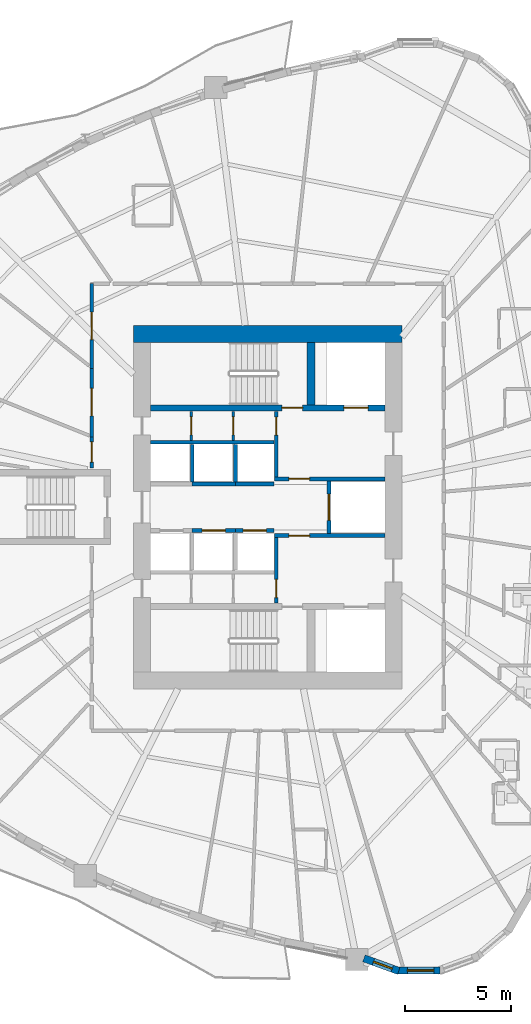
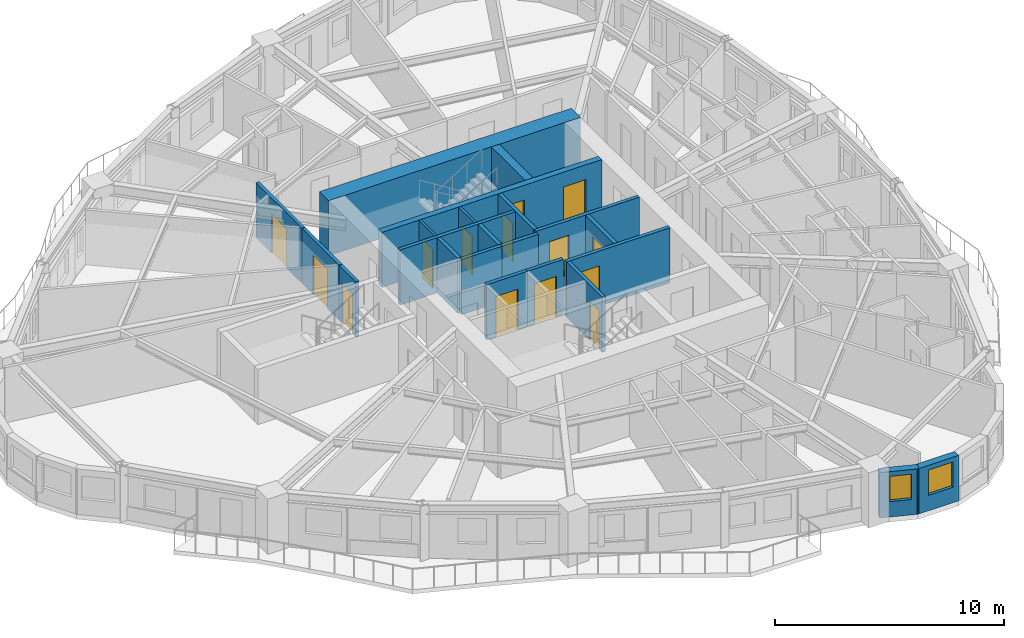
# One storey, part 5 of 13: 22 walls, 14 doors, 2 windows, 16 openings.
"""IFC4 building model written with IfcOpenShell, lengths in metres."""

from ifc_helpers import new_model, si_unit, direction, frame, frame_2d, origin, place, context, subcontext, project, spatial, rectangle, extrude, source, transform, mapped, material, layer, layer_set, type_object, element, fill, save


model = new_model("IFC4")

# Units and contexts
model_context = context("Model", 3, precision=1e-05, world=origin(), true_north=direction((0.0, 1.0)))
body_context = subcontext(model_context, "Body", "Model", "MODEL_VIEW")
ifc_project = project(units=[si_unit("LENGTHUNIT", "METRE"), si_unit("AREAUNIT", "SQUARE_METRE"), si_unit("VOLUMEUNIT", "CUBIC_METRE"), si_unit("PLANEANGLEUNIT", "RADIAN"), si_unit("MASSUNIT", "GRAM", prefix="KILO")], contexts=[model_context])

# Site, building, storey
site_placement = place(None, origin())
site = spatial("IfcSite", under=ifc_project, at=site_placement, CompositionType="ELEMENT")
building_placement = place(site_placement, origin())
building = spatial("IfcBuilding", under=site, at=building_placement, Name="Qafzar Sky-Pleat Residences", CompositionType="ELEMENT")
storey_placement = place(building_placement, frame((0.0, 0.0, 55.800048828125)))
storey = spatial("IfcBuildingStorey", under=building, at=storey_placement, Name="L16", CompositionType="ELEMENT", Elevation=55.800048828125)

# Wall, opening, door
ifc_material_1 = material(Name="Acoustic gypsum plasterboard partition", Category="gypsum")
ifc_layer_1 = layer(ifc_material_1, 0.159912109375)
ifc_layer_set_1 = layer_set([ifc_layer_1], Name="Acoustic gypsum plasterboard partition")
wall_type_1 = type_object("IfcWallType", Name="PART-COR-160", PredefinedType="PARTITIONING", material=ifc_layer_set_1)
wall_1_placement = place(storey_placement, frame((22.02001953125, 32.577880859375, 0.0), z_axis=(0.0, 0.0, 1.0), x_axis=(0.0, 1.0, 0.0)))
wall_1 = element("IfcWall", 1, at=wall_1_placement, inside=storey, type_object=wall_type_1, Name="L16 Partition Wall PART-L16-PW-004", PredefinedType="PARTITIONING", context=body_context, shape_type="SweptSolid", body=[
    extrude(rectangle(XDim=4.002197265625, YDim=0.159912109375, at=frame_2d((2.0009765625, 0.0))), origin(), (0.0, 0.0, 1.0), 2.93994140625),
])
opening_1_placement = place(wall_1_placement, frame((1.360595703125, 0.0, 0.0)))
opening_1 = element("IfcOpeningElement", 2, at=opening_1_placement, cuts=wall_1, Name="Opening ID-05", PredefinedType="OPENING", context=body_context, shape_type="SweptSolid", body=[
    extrude(rectangle(XDim=1.300048828125, YDim=2.10009765625, at=frame_2d((0.64990234375, 1.050048828125))), frame((0.0, 0.08984375, 0.0), z_axis=(0.0, -1.0, 0.0), x_axis=(1.0, 0.0, 0.0)), (0.0, 0.0, 1.0), 0.179931640625),
])
ifc_material_2 = material(Name="Timber-faced fire door", Category="wood")
door_type_1 = type_object("IfcDoorType", Name="DR-LNG-1300", OperationType="DOUBLE_DOOR_SINGLE_SWING", PredefinedType="DOOR", material=ifc_material_2)
shared_shape_1 = source(origin(), body_context, "Body", "SweptSolid", [
    extrude(rectangle(XDim=1.300048828125, YDim=2.10009765625, at=frame_2d((0.64990234375, 1.050048828125))), frame((0.0, 0.02490234375, 0.0), z_axis=(0.0, -1.0, 0.0), x_axis=(1.0, 0.0, 0.0)), (0.0, 0.0, 1.0), 0.050048828125),
])
door_1_placement = place(opening_1_placement, origin())
door_1 = element("IfcDoor", 3, at=door_1_placement, inside=storey, type_object=door_type_1, Name="L16 Communal Kitchen Door", OperationType="DOUBLE_DOOR_SINGLE_SWING", OverallHeight=2.10009765625, OverallWidth=1.300048828125, PredefinedType="DOOR", context=body_context, shape_type="MappedRepresentation", body=[
    mapped(shared_shape_1, transform((0.0, 0.0, 0.0), x_axis=(1.0, 0.0, 0.0), y_axis=(0.0, 1.0, 0.0), z_axis=(0.0, 0.0, 1.0), scale=1.0)),
])
fill(opening_1, door_1)

wall_2_placement = place(storey_placement, frame((22.02001953125, 29.327880859375, 0.0), z_axis=(0.0, 0.0, 1.0), x_axis=(0.0, 1.0, 0.0)))
wall_2 = element("IfcWall", 4, at=wall_2_placement, inside=storey, type_object=wall_type_1, Name="L16 Partition Wall PART-L16-PW-010", PredefinedType="PARTITIONING", context=body_context, shape_type="SweptSolid", body=[
    extrude(rectangle(XDim=3.235107421875, YDim=0.159912109375, at=frame_2d((1.61767578125, 0.0))), origin(), (0.0, 0.0, 1.0), 2.93994140625),
])
opening_2_placement = place(wall_2_placement, frame((0.992431640625, 0.0, 0.0)))
opening_2 = element("IfcOpeningElement", 5, at=opening_2_placement, cuts=wall_2, Name="Opening ID-05", PredefinedType="OPENING", context=body_context, shape_type="SweptSolid", body=[
    extrude(rectangle(XDim=1.300048828125, YDim=2.10009765625, at=frame_2d((0.64990234375, 1.050048828125))), frame((0.0, 0.08984375, 0.0), z_axis=(0.0, -1.0, 0.0), x_axis=(1.0, 0.0, 0.0)), (0.0, 0.0, 1.0), 0.179931640625),
])
door_2_placement = place(opening_2_placement, origin())
door_2 = element("IfcDoor", 6, at=door_2_placement, inside=storey, type_object=door_type_1, Name="L16 Co-Living Lounge Door", OperationType="DOUBLE_DOOR_SINGLE_SWING", OverallHeight=2.10009765625, OverallWidth=1.300048828125, PredefinedType="DOOR", context=body_context, shape_type="MappedRepresentation", body=[
    mapped(shared_shape_1, transform((0.0, 0.0, 0.0), x_axis=(1.0, 0.0, 0.0), y_axis=(0.0, 1.0, 0.0), z_axis=(0.0, 0.0, 1.0), scale=1.0)),
])
fill(opening_2, door_2)

wall_3_placement = place(storey_placement, frame((22.02001953125, 27.85009765625, 0.0), z_axis=(0.0, 0.0, 1.0), x_axis=(0.0, 1.0, 0.0)))
wall_3 = element("IfcWall", 7, at=wall_3_placement, inside=storey, type_object=wall_type_1, Name="L16 Partition Wall PART-L16-PW-029", PredefinedType="PARTITIONING", context=body_context, shape_type="SweptSolid", body=[
    extrude(rectangle(XDim=1.462890625, YDim=0.159912109375, at=frame_2d((0.7314453125, 0.0))), origin(), (0.0, 0.0, 1.0), 2.93994140625),
])
opening_3_placement = place(wall_3_placement, frame((0.282958984375, 0.0, 0.0)))
opening_3 = element("IfcOpeningElement", 8, at=opening_3_placement, cuts=wall_3, Name="Opening ID-06", PredefinedType="OPENING", context=body_context, shape_type="SweptSolid", body=[
    extrude(rectangle(XDim=0.9599609375, YDim=2.10009765625, at=frame_2d((0.47998046875, 1.050048828125))), frame((0.0, 0.08984375, 0.0), z_axis=(0.0, -1.0, 0.0), x_axis=(1.0, 0.0, 0.0)), (0.0, 0.0, 1.0), 0.179931640625),
])
door_type_2 = type_object("IfcDoorType", Name="DR-STD-960", OperationType="NOTDEFINED", PredefinedType="DOOR", material=ifc_material_2)
shared_shape_2 = source(origin(), body_context, "Body", "SweptSolid", [
    extrude(rectangle(XDim=0.9599609375, YDim=2.10009765625, at=frame_2d((0.47998046875, 1.050048828125))), frame((0.0, 0.02490234375, 0.0), z_axis=(0.0, -1.0, 0.0), x_axis=(1.0, 0.0, 0.0)), (0.0, 0.0, 1.0), 0.050048828125),
])
door_3_placement = place(opening_3_placement, origin())
door_3 = element("IfcDoor", 9, at=door_3_placement, inside=storey, type_object=door_type_2, Name="L16 Faculty Research Office Door", OperationType="SINGLE_SWING_LEFT", OverallHeight=2.10009765625, OverallWidth=0.9599609375, PredefinedType="DOOR", context=body_context, shape_type="MappedRepresentation", body=[
    mapped(shared_shape_2, transform((0.0, 0.0, 0.0), x_axis=(1.0, 0.0, 0.0), y_axis=(0.0, 1.0, 0.0), z_axis=(0.0, 0.0, 1.0), scale=1.0)),
])
fill(opening_3, door_3)

ifc_material_3 = material(Name="Concrete blockwork partition", Category="masonry")
ifc_layer_2 = layer(ifc_material_3, 0.179931640625)
ifc_layer_set_2 = layer_set([ifc_layer_2], Name="Concrete blockwork partition")
wall_type_2 = type_object("IfcWallType", Name="PART-SHAFT-180", PredefinedType="PARTITIONING", material=ifc_layer_set_2)
wall_4_placement = place(storey_placement, frame((30.75, 21.4599609375, 0.0), z_axis=(0.0, 0.0, 1.0), x_axis=(0.0, 1.0, 0.0)))
wall_4 = element("IfcWall", 10, at=wall_4_placement, inside=storey, type_object=wall_type_2, Name="L16 Partition Wall PART-L16-FFL1-W", PredefinedType="PARTITIONING", context=body_context, shape_type="SweptSolid", body=[
    extrude(rectangle(XDim=3.110107421875, YDim=0.179931640625, at=frame_2d((1.55517578125, 0.0))), origin(), (0.0, 0.0, 1.0), 2.93994140625),
])
opening_4_placement = place(wall_4_placement, frame((0.260009765625, 0.0, 0.0)))
opening_4 = element("IfcOpeningElement", 11, at=opening_4_placement, cuts=wall_4, Name="Opening ID-09", PredefinedType="OPENING", context=body_context, shape_type="SweptSolid", body=[
    extrude(rectangle(XDim=0.860107421875, YDim=2.050048828125, at=frame_2d((0.43017578125, 1.02490234375))), frame((0.0, 0.10009765625, 0.0), z_axis=(0.0, -1.0, 0.0), x_axis=(1.0, 0.0, 0.0)), (0.0, 0.0, 1.0), 0.199951171875),
])
door_type_3 = type_object("IfcDoorType", Name="DR-SVC-860", OperationType="NOTDEFINED", PredefinedType="DOOR", material=ifc_material_2)
shared_shape_3 = source(origin(), body_context, "Body", "SweptSolid", [
    extrude(rectangle(XDim=0.860107421875, YDim=2.050048828125, at=frame_2d((0.43017578125, 1.02490234375))), frame((0.0, 0.02490234375, 0.0), z_axis=(0.0, -1.0, 0.0), x_axis=(1.0, 0.0, 0.0)), (0.0, 0.0, 1.0), 0.050048828125),
])
door_4_placement = place(opening_4_placement, origin())
door_4 = element("IfcDoor", 12, at=door_4_placement, inside=storey, type_object=door_type_3, Name="L16 South Core Cupboard Door", OperationType="SINGLE_SWING_LEFT", OverallHeight=2.050048828125, OverallWidth=0.860107421875, PredefinedType="DOOR", context=body_context, shape_type="MappedRepresentation", body=[
    mapped(shared_shape_3, transform((0.0, 0.0, 0.0), x_axis=(1.0, 0.0, 0.0), y_axis=(0.0, 1.0, 0.0), z_axis=(0.0, 0.0, 1.0), scale=1.0)),
])
fill(opening_4, door_4)

wall_5_placement = place(storey_placement, frame((30.669921875, 24.659912109375, 0.0), z_axis=(0.0, 0.0, 1.0), x_axis=(1.0, 0.0, 0.0)))
wall_5 = element("IfcWall", 13, at=wall_5_placement, inside=storey, type_object=wall_type_2, Name="L16 Partition Wall PART-L16-FFL1-N", PredefinedType="PARTITIONING", context=body_context, shape_type="SweptSolid", body=[
    extrude(rectangle(XDim=5.219970703125, YDim=0.179931640625, at=frame_2d((2.60986328125, 0.0))), origin(), (0.0, 0.0, 1.0), 2.93994140625),
])
opening_5_placement = place(wall_5_placement, frame((0.679931640625, 0.0, 0.0)))
opening_5 = element("IfcOpeningElement", 14, at=opening_5_placement, cuts=wall_5, Name="Opening ID-01", PredefinedType="OPENING", context=body_context, shape_type="SweptSolid", body=[
    extrude(rectangle(XDim=0.97998046875, YDim=2.14990234375, at=frame_2d((0.489990234375, 1.074951171875))), frame((0.0, 0.10009765625, 0.0), z_axis=(0.0, -1.0, 0.0), x_axis=(1.0, 0.0, 0.0)), (0.0, 0.0, 1.0), 0.199951171875),
])
door_type_4 = type_object("IfcDoorType", Name="DR-STAIR-980", OperationType="NOTDEFINED", PredefinedType="DOOR", material=ifc_material_2)
shared_shape_4 = source(origin(), body_context, "Body", "SweptSolid", [
    extrude(rectangle(XDim=0.97998046875, YDim=2.14990234375, at=frame_2d((0.489990234375, 1.074951171875))), frame((0.0, 0.02490234375, 0.0), z_axis=(0.0, -1.0, 0.0), x_axis=(1.0, 0.0, 0.0)), (0.0, 0.0, 1.0), 0.050048828125),
])
door_5_placement = place(opening_5_placement, origin())
door_5 = element("IfcDoor", 15, at=door_5_placement, inside=storey, type_object=door_type_4, Name="L16 Lift Lobby to South Firefighting Lobby Door", OperationType="SINGLE_SWING_RIGHT", OverallHeight=2.14990234375, OverallWidth=0.97998046875, PredefinedType="DOOR", context=body_context, shape_type="MappedRepresentation", body=[
    mapped(shared_shape_4, transform((0.0, 0.0, 0.0), x_axis=(1.0, 0.0, 0.0), y_axis=(0.0, 1.0, 0.0), z_axis=(0.0, 0.0, 1.0), scale=1.0)),
])
fill(opening_5, door_5)

wall_6_placement = place(storey_placement, frame((30.75, 27.429931640625, 0.0), z_axis=(0.0, 0.0, 1.0), x_axis=(0.0, 1.0, 0.0)))
wall_6 = element("IfcWall", 16, at=wall_6_placement, inside=storey, type_object=wall_type_2, Name="L16 Partition Wall PART-L16-FFL2-W", PredefinedType="PARTITIONING", context=body_context, shape_type="SweptSolid", body=[
    extrude(rectangle(XDim=3.110107421875, YDim=0.179931640625, at=frame_2d((1.55517578125, 0.0))), origin(), (0.0, 0.0, 1.0), 2.93994140625),
])
opening_6_placement = place(wall_6_placement, frame((1.97998046875, 0.0, 0.0)))
opening_6 = element("IfcOpeningElement", 17, at=opening_6_placement, cuts=wall_6, Name="Opening ID-09", PredefinedType="OPENING", context=body_context, shape_type="SweptSolid", body=[
    extrude(rectangle(XDim=0.860107421875, YDim=2.050048828125, at=frame_2d((0.43017578125, 1.02490234375))), frame((0.0, 0.10009765625, 0.0), z_axis=(0.0, -1.0, 0.0), x_axis=(1.0, 0.0, 0.0)), (0.0, 0.0, 1.0), 0.199951171875),
])
door_6_placement = place(opening_6_placement, origin())
door_6 = element("IfcDoor", 18, at=door_6_placement, inside=storey, type_object=door_type_3, Name="L16 North Core Cupboard Door", OperationType="SINGLE_SWING_LEFT", OverallHeight=2.050048828125, OverallWidth=0.860107421875, PredefinedType="DOOR", context=body_context, shape_type="MappedRepresentation", body=[
    mapped(shared_shape_3, transform((0.0, 0.0, 0.0), x_axis=(1.0, 0.0, 0.0), y_axis=(0.0, 1.0, 0.0), z_axis=(0.0, 0.0, 1.0), scale=1.0)),
])
fill(opening_6, door_6)

wall_7_placement = place(storey_placement, frame((30.669921875, 27.340087890625, 0.0), z_axis=(0.0, 0.0, 1.0), x_axis=(1.0, 0.0, 0.0)))
wall_7 = element("IfcWall", 19, at=wall_7_placement, inside=storey, type_object=wall_type_2, Name="L16 Partition Wall PART-L16-FFL2-S", PredefinedType="PARTITIONING", context=body_context, shape_type="SweptSolid", body=[
    extrude(rectangle(XDim=5.219970703125, YDim=0.179931640625, at=frame_2d((2.60986328125, 0.0))), origin(), (0.0, 0.0, 1.0), 2.93994140625),
])
opening_7_placement = place(wall_7_placement, frame((0.679931640625, 0.0, 0.0)))
opening_7 = element("IfcOpeningElement", 20, at=opening_7_placement, cuts=wall_7, Name="Opening ID-01", PredefinedType="OPENING", context=body_context, shape_type="SweptSolid", body=[
    extrude(rectangle(XDim=0.97998046875, YDim=2.14990234375, at=frame_2d((0.489990234375, 1.074951171875))), frame((0.0, 0.10009765625, 0.0), z_axis=(0.0, -1.0, 0.0), x_axis=(1.0, 0.0, 0.0)), (0.0, 0.0, 1.0), 0.199951171875),
])
door_7_placement = place(opening_7_placement, origin())
door_7 = element("IfcDoor", 21, at=door_7_placement, inside=storey, type_object=door_type_4, Name="L16 Lift Lobby to North Firefighting Lobby Door", OperationType="SINGLE_SWING_RIGHT", OverallHeight=2.14990234375, OverallWidth=0.97998046875, PredefinedType="DOOR", context=body_context, shape_type="MappedRepresentation", body=[
    mapped(shared_shape_4, transform((0.0, 0.0, 0.0), x_axis=(1.0, 0.0, 0.0), y_axis=(0.0, 1.0, 0.0), z_axis=(0.0, 0.0, 1.0), scale=1.0)),
])
fill(opening_7, door_7)

wall_8_placement = place(storey_placement, frame((33.25, 24.760009765625, 0.0), z_axis=(0.0, 0.0, 1.0), x_axis=(0.0, 1.0, 0.0)))
wall_8 = element("IfcWall", 22, at=wall_8_placement, inside=storey, type_object=wall_type_2, Name="L16 Partition Wall PART-L16-SV1-W", PredefinedType="PARTITIONING", context=body_context, shape_type="SweptSolid", body=[
    extrude(rectangle(XDim=2.47998046875, YDim=0.179931640625, at=frame_2d((1.239990234375, 0.0))), origin(), (0.0, 0.0, 1.0), 2.93994140625),
])
opening_8_placement = place(wall_8_placement, frame((0.614990234375, 0.0, 0.0)))
opening_8 = element("IfcOpeningElement", 23, at=opening_8_placement, cuts=wall_8, Name="Opening LD-03", PredefinedType="OPENING", context=body_context, shape_type="SweptSolid", body=[
    extrude(rectangle(XDim=1.25, YDim=2.14990234375, at=frame_2d((0.625, 1.074951171875))), frame((0.0, 0.10009765625, 0.0), z_axis=(0.0, -1.0, 0.0), x_axis=(1.0, 0.0, 0.0)), (0.0, 0.0, 1.0), 0.199951171875),
])
ifc_material_4 = material(Name="Stainless steel sliding landing door", Category="steel")
door_type_5 = type_object("IfcDoorType", Name="DR-LIFT-SV", OperationType="DOUBLE_DOOR_SLIDING", PredefinedType="DOOR", material=ifc_material_4)
shared_shape_5 = source(origin(), body_context, "Body", "SweptSolid", [
    extrude(rectangle(XDim=1.25, YDim=2.14990234375, at=frame_2d((0.625, 1.074951171875))), frame((0.0, 0.02490234375, 0.0), z_axis=(0.0, -1.0, 0.0), x_axis=(1.0, 0.0, 0.0)), (0.0, 0.0, 1.0), 0.050048828125),
])
door_8_placement = place(opening_8_placement, origin())
door_8 = element("IfcDoor", 24, at=door_8_placement, inside=storey, type_object=door_type_5, Name="L16 Service Lift SV1 Landing Door", OperationType="DOUBLE_DOOR_SLIDING", OverallHeight=2.14990234375, OverallWidth=1.25, PredefinedType="DOOR", context=body_context, shape_type="MappedRepresentation", body=[
    mapped(shared_shape_5, transform((0.0, 0.0, 0.0), x_axis=(1.0, 0.0, 0.0), y_axis=(0.0, 1.0, 0.0), z_axis=(0.0, 0.0, 1.0), scale=1.0)),
])
fill(opening_8, door_8)

wall_9_placement = place(storey_placement, frame((26.77490234375, 24.89990234375, 0.0), z_axis=(0.0, 0.0, 1.0), x_axis=(1.0, 0.0, 0.0)))
wall_9 = element("IfcWall", 25, at=wall_9_placement, inside=storey, type_object=wall_type_2, Name="L16 Partition Wall PART-L16-P2-N", PredefinedType="PARTITIONING", context=body_context, shape_type="SweptSolid", body=[
    extrude(rectangle(XDim=2.050048828125, YDim=0.179931640625, at=frame_2d((1.02490234375, 0.0))), origin(), (0.0, 0.0, 1.0), 2.93994140625),
])
opening_9_placement = place(wall_9_placement, frame((0.47509765625, 0.0, 0.0)))
opening_9 = element("IfcOpeningElement", 26, at=opening_9_placement, cuts=wall_9, Name="Opening LD-01", PredefinedType="OPENING", context=body_context, shape_type="SweptSolid", body=[
    extrude(rectangle(XDim=1.10009765625, YDim=2.14990234375, at=frame_2d((0.550048828125, 1.074951171875))), frame((0.0, 0.10009765625, 0.0), z_axis=(0.0, -1.0, 0.0), x_axis=(1.0, 0.0, 0.0)), (0.0, 0.0, 1.0), 0.199951171875),
])
door_type_6 = type_object("IfcDoorType", Name="DR-LIFT-P", OperationType="DOUBLE_DOOR_SLIDING", PredefinedType="DOOR", material=ifc_material_4)
shared_shape_6 = source(origin(), body_context, "Body", "SweptSolid", [
    extrude(rectangle(XDim=1.10009765625, YDim=2.14990234375, at=frame_2d((0.550048828125, 1.074951171875))), frame((0.0, 0.02490234375, 0.0), z_axis=(0.0, -1.0, 0.0), x_axis=(1.0, 0.0, 0.0)), (0.0, 0.0, 1.0), 0.050048828125),
])
door_9_placement = place(opening_9_placement, origin())
door_9 = element("IfcDoor", 27, at=door_9_placement, inside=storey, type_object=door_type_6, Name="L16 Passenger Lift P2 Landing Door", OperationType="DOUBLE_DOOR_SLIDING", OverallHeight=2.14990234375, OverallWidth=1.10009765625, PredefinedType="DOOR", context=body_context, shape_type="MappedRepresentation", body=[
    mapped(shared_shape_6, transform((0.0, 0.0, 0.0), x_axis=(1.0, 0.0, 0.0), y_axis=(0.0, 1.0, 0.0), z_axis=(0.0, 0.0, 1.0), scale=1.0)),
])
fill(opening_9, door_9)

wall_10_placement = place(storey_placement, frame((28.824951171875, 24.89990234375, 0.0), z_axis=(0.0, 0.0, 1.0), x_axis=(1.0, 0.0, 0.0)))
wall_10 = element("IfcWall", 28, at=wall_10_placement, inside=storey, type_object=wall_type_2, Name="L16 Partition Wall PART-L16-P3-N", PredefinedType="PARTITIONING", context=body_context, shape_type="SweptSolid", body=[
    extrude(rectangle(XDim=1.824951171875, YDim=0.179931640625, at=frame_2d((0.91259765625, 0.0))), origin(), (0.0, 0.0, 1.0), 2.93994140625),
])
opening_10_placement = place(wall_10_placement, frame((0.362548828125, 0.0, 0.0)))
opening_10 = element("IfcOpeningElement", 29, at=opening_10_placement, cuts=wall_10, Name="Opening LD-01", PredefinedType="OPENING", context=body_context, shape_type="SweptSolid", body=[
    extrude(rectangle(XDim=1.10009765625, YDim=2.14990234375, at=frame_2d((0.550048828125, 1.074951171875))), frame((0.0, 0.10009765625, 0.0), z_axis=(0.0, -1.0, 0.0), x_axis=(1.0, 0.0, 0.0)), (0.0, 0.0, 1.0), 0.199951171875),
])
door_10_placement = place(opening_10_placement, origin())
door_10 = element("IfcDoor", 30, at=door_10_placement, inside=storey, type_object=door_type_6, Name="L16 Passenger Lift P3 Landing Door", OperationType="DOUBLE_DOOR_SLIDING", OverallHeight=2.14990234375, OverallWidth=1.10009765625, PredefinedType="DOOR", context=body_context, shape_type="MappedRepresentation", body=[
    mapped(shared_shape_6, transform((0.0, 0.0, 0.0), x_axis=(1.0, 0.0, 0.0), y_axis=(0.0, 1.0, 0.0), z_axis=(0.0, 0.0, 1.0), scale=1.0)),
])
fill(opening_10, door_10)

# Walls
wall_11_placement = place(storey_placement, frame((24.81005859375, 29.080078125, 0.0), z_axis=(0.0, 0.0, 1.0), x_axis=(1.0, 0.0, 0.0)))
element("IfcWall", 31, at=wall_11_placement, inside=storey, type_object=wall_type_2, Name="L16 Partition Wall PART-L16-P46-N", PredefinedType="PARTITIONING", context=body_context, shape_type="SweptSolid", body=[
    extrude(rectangle(XDim=5.83984375, YDim=0.179931640625, at=frame_2d((2.919921875, 0.0))), origin(), (0.0, 0.0, 1.0), 2.93994140625),
])
wall_12_placement = place(storey_placement, frame((26.77490234375, 27.10009765625, 0.0), z_axis=(0.0, 0.0, 1.0), x_axis=(1.0, 0.0, 0.0)))
element("IfcWall", 32, at=wall_12_placement, inside=storey, type_object=wall_type_2, Name="L16 Partition Wall PART-L16-P5-S", PredefinedType="PARTITIONING", context=body_context, shape_type="SweptSolid", body=[
    extrude(rectangle(XDim=2.050048828125, YDim=0.179931640625, at=frame_2d((1.02490234375, 0.0))), origin(), (0.0, 0.0, 1.0), 2.93994140625),
])
wall_13_placement = place(storey_placement, frame((26.77490234375, 27.199951171875, 0.0), z_axis=(0.0, 0.0, 1.0), x_axis=(0.0, 1.0, 0.0)))
element("IfcWall", 33, at=wall_13_placement, inside=storey, type_object=wall_type_2, Name="L16 Partition Wall PART-L16-P46-DIV-1", PredefinedType="PARTITIONING", context=body_context, shape_type="SweptSolid", body=[
    extrude(rectangle(XDim=1.780029296875, YDim=0.179931640625, at=frame_2d((0.89013671875, 0.0))), origin(), (0.0, 0.0, 1.0), 2.93994140625),
])
wall_14_placement = place(storey_placement, frame((28.824951171875, 27.10009765625, 0.0), z_axis=(0.0, 0.0, 1.0), x_axis=(1.0, 0.0, 0.0)))
element("IfcWall", 34, at=wall_14_placement, inside=storey, type_object=wall_type_2, Name="L16 Partition Wall PART-L16-P6-S", PredefinedType="PARTITIONING", context=body_context, shape_type="SweptSolid", body=[
    extrude(rectangle(XDim=1.824951171875, YDim=0.179931640625, at=frame_2d((0.91259765625, 0.0))), origin(), (0.0, 0.0, 1.0), 2.93994140625),
])
wall_15_placement = place(storey_placement, frame((28.824951171875, 27.199951171875, 0.0), z_axis=(0.0, 0.0, 1.0), x_axis=(0.0, 1.0, 0.0)))
element("IfcWall", 35, at=wall_15_placement, inside=storey, type_object=wall_type_2, Name="L16 Partition Wall PART-L16-P46-DIV-2", PredefinedType="PARTITIONING", context=body_context, shape_type="SweptSolid", body=[
    extrude(rectangle(XDim=1.780029296875, YDim=0.179931640625, at=frame_2d((0.89013671875, 0.0))), origin(), (0.0, 0.0, 1.0), 2.93994140625),
])

# Wall, opening, door
ifc_material_5 = material(Name="Gypsum plasterboard partition", Category="gypsum")
ifc_layer_3 = layer(ifc_material_5, 0.114990234375)
ifc_layer_set_3 = layer_set([ifc_layer_3], Name="Gypsum plasterboard partition")
wall_type_3 = type_object("IfcWallType", Name="PART-SVC-115", PredefinedType="PARTITIONING", material=ifc_layer_set_3)
wall_16_placement = place(storey_placement, frame((26.72509765625, 29.159912109375, 0.0), z_axis=(0.0, 0.0, 1.0), x_axis=(0.0, 1.0, 0.0)))
wall_16 = element("IfcWall", 36, at=wall_16_placement, inside=storey, type_object=wall_type_3, Name="L16 Partition Wall PART-L16-KC-NW-1", PredefinedType="PARTITIONING", context=body_context, shape_type="SweptSolid", body=[
    extrude(rectangle(XDim=1.380126953125, YDim=0.114990234375, at=frame_2d((0.68994140625, 0.0))), origin(), (0.0, 0.0, 1.0), 2.93994140625),
])
opening_11_placement = place(wall_16_placement, frame((0.260009765625, 0.0, 0.0)))
opening_11 = element("IfcOpeningElement", 37, at=opening_11_placement, cuts=wall_16, Name="Opening ID-09", PredefinedType="OPENING", context=body_context, shape_type="SweptSolid", body=[
    extrude(rectangle(XDim=0.860107421875, YDim=2.050048828125, at=frame_2d((0.43017578125, 1.02490234375))), frame((0.0, 0.0673828125, 0.0), z_axis=(0.0, -1.0, 0.0), x_axis=(1.0, 0.0, 0.0)), (0.0, 0.0, 1.0), 0.135009765625),
])
door_11_placement = place(opening_11_placement, origin())
door_11 = element("IfcDoor", 38, at=door_11_placement, inside=storey, type_object=door_type_3, Name="L16 Core North Cupboard 1 Door", OperationType="SINGLE_SWING_RIGHT", OverallHeight=2.050048828125, OverallWidth=0.860107421875, PredefinedType="DOOR", context=body_context, shape_type="MappedRepresentation", body=[
    mapped(shared_shape_3, transform((0.0, 0.0, 0.0), x_axis=(1.0, 0.0, 0.0), y_axis=(0.0, 1.0, 0.0), z_axis=(0.0, 0.0, 1.0), scale=1.0)),
])
fill(opening_11, door_11)

wall_17_placement = place(storey_placement, frame((28.72509765625, 29.159912109375, 0.0), z_axis=(0.0, 0.0, 1.0), x_axis=(0.0, 1.0, 0.0)))
wall_17 = element("IfcWall", 39, at=wall_17_placement, inside=storey, type_object=wall_type_3, Name="L16 Partition Wall PART-L16-KC-NW-2", PredefinedType="PARTITIONING", context=body_context, shape_type="SweptSolid", body=[
    extrude(rectangle(XDim=1.380126953125, YDim=0.114990234375, at=frame_2d((0.68994140625, 0.0))), origin(), (0.0, 0.0, 1.0), 2.93994140625),
])
opening_12_placement = place(wall_17_placement, frame((0.260009765625, 0.0, 0.0)))
opening_12 = element("IfcOpeningElement", 40, at=opening_12_placement, cuts=wall_17, Name="Opening ID-09", PredefinedType="OPENING", context=body_context, shape_type="SweptSolid", body=[
    extrude(rectangle(XDim=0.860107421875, YDim=2.050048828125, at=frame_2d((0.43017578125, 1.02490234375))), frame((0.0, 0.0673828125, 0.0), z_axis=(0.0, -1.0, 0.0), x_axis=(1.0, 0.0, 0.0)), (0.0, 0.0, 1.0), 0.135009765625),
])
door_12_placement = place(opening_12_placement, origin())
door_12 = element("IfcDoor", 41, at=door_12_placement, inside=storey, type_object=door_type_3, Name="L16 Core North Cupboard 2 Door", OperationType="SINGLE_SWING_RIGHT", OverallHeight=2.050048828125, OverallWidth=0.860107421875, PredefinedType="DOOR", context=body_context, shape_type="MappedRepresentation", body=[
    mapped(shared_shape_3, transform((0.0, 0.0, 0.0), x_axis=(1.0, 0.0, 0.0), y_axis=(0.0, 1.0, 0.0), z_axis=(0.0, 0.0, 1.0), scale=1.0)),
])
fill(opening_12, door_12)

# Wall, opening, window
ifc_material_6 = material(Name="Precast concrete C40/50 with honed Riyadh limestone", Category="concrete")
ifc_layer_4 = layer(ifc_material_6, 0.35009765625)
ifc_layer_set_4 = layer_set([ifc_layer_4], Name="Precast concrete C40/50 with honed Riyadh limestone")
wall_type_4 = type_object("IfcWallType", Name="WALL-EXT-350", PredefinedType="SOLIDWALL", material=ifc_layer_set_4)
wall_18_placement = place(storey_placement, frame((34.904296875, 4.6494140625, 0.0), z_axis=(0.0, 0.0, 1.0), x_axis=(0.939675390388, -0.342067479745, 0.0)))
wall_18 = element("IfcWall", 42, at=wall_18_placement, inside=storey, type_object=wall_type_4, Name="L16 Limestone Facade Wall 17", PredefinedType="SOLIDWALL", context=body_context, shape_type="SweptSolid", body=[
    extrude(rectangle(XDim=1.752197265625, YDim=0.35009765625, at=frame_2d((0.8759765625, 0.0))), origin(), (0.0, 0.0, 1.0), 2.419921875),
])
opening_13_placement = place(wall_18_placement, frame((0.47607421875, 0.0, 0.820068359375)))
opening_13 = element("IfcOpeningElement", 43, at=opening_13_placement, cuts=wall_18, Name="Opening WN-12", PredefinedType="OPENING", context=body_context, shape_type="SweptSolid", body=[
    extrude(rectangle(XDim=0.949951171875, YDim=1.35009765625, at=frame_2d((0.47509765625, 0.675048828125))), frame((0.0, 0.18505859375, 0.0), z_axis=(0.0, -1.0, 0.0), x_axis=(1.0, 0.0, 0.0)), (0.0, 0.0, 1.0), 0.3701171875),
])
ifc_material_7 = material(Name="Solar-control low-E glass in bronze aluminium frame", Category="glass")
window_type_1 = type_object("IfcWindowType", Name="WIN-12", PartitioningType="SINGLE_PANEL", PredefinedType="WINDOW", material=ifc_material_7)
shared_shape_7 = source(origin(), body_context, "Body", "SweptSolid", [
    extrude(rectangle(XDim=0.949951171875, YDim=1.35009765625, at=frame_2d((0.47509765625, 0.675048828125))), frame((0.0, 0.030029296875, 0.0), z_axis=(0.0, -1.0, 0.0), x_axis=(1.0, 0.0, 0.0)), (0.0, 0.0, 1.0), 0.06005859375),
])
window_1_placement = place(opening_13_placement, origin())
window_1 = element("IfcWindow", 44, at=window_1_placement, inside=storey, type_object=window_type_1, Name="L16 Punched Facade Window 17", OverallHeight=1.35009765625, OverallWidth=0.949951171875, PartitioningType="SINGLE_PANEL", PredefinedType="WINDOW", context=body_context, shape_type="MappedRepresentation", body=[
    mapped(shared_shape_7, transform((0.0, 0.0, 0.0), x_axis=(1.0, 0.0, 0.0), y_axis=(0.0, 1.0, 0.0), z_axis=(0.0, 0.0, 1.0), scale=1.0)),
])
fill(opening_13, window_1)

wall_19_placement = place(storey_placement, frame((36.417236328125, 4.073486328125, 0.0), z_axis=(0.0, 0.0, 1.0), x_axis=(1.0, 0.0, 0.0)))
wall_19 = element("IfcWall", 45, at=wall_19_placement, inside=storey, type_object=wall_type_4, Name="L16 Limestone Facade Wall 18", PredefinedType="SOLIDWALL", context=body_context, shape_type="SweptSolid", body=[
    extrude(rectangle(XDim=2.090576171875, YDim=0.35009765625, at=frame_2d((1.04541015625, 0.0))), origin(), (0.0, 0.0, 1.0), 2.419921875),
])
opening_14_placement = place(wall_19_placement, frame((0.549072265625, 0.0, 0.820068359375)))
opening_14 = element("IfcOpeningElement", 46, at=opening_14_placement, cuts=wall_19, Name="Opening WN-11", PredefinedType="OPENING", context=body_context, shape_type="SweptSolid", body=[
    extrude(rectangle(XDim=1.25, YDim=1.35009765625, at=frame_2d((0.625, 0.675048828125))), frame((0.0, 0.18505859375, 0.0), z_axis=(0.0, -1.0, 0.0), x_axis=(1.0, 0.0, 0.0)), (0.0, 0.0, 1.0), 0.3701171875),
])
window_type_2 = type_object("IfcWindowType", Name="WIN-11", PartitioningType="SINGLE_PANEL", PredefinedType="WINDOW", material=ifc_material_7)
shared_shape_8 = source(origin(), body_context, "Body", "SweptSolid", [
    extrude(rectangle(XDim=1.25, YDim=1.35009765625, at=frame_2d((0.625, 0.675048828125))), frame((0.0, 0.030029296875, 0.0), z_axis=(0.0, -1.0, 0.0), x_axis=(1.0, 0.0, 0.0)), (0.0, 0.0, 1.0), 0.06005859375),
])
window_2_placement = place(opening_14_placement, origin())
window_2 = element("IfcWindow", 47, at=window_2_placement, inside=storey, type_object=window_type_2, Name="L16 Punched Facade Window 18", OverallHeight=1.35009765625, OverallWidth=1.25, PartitioningType="SINGLE_PANEL", PredefinedType="WINDOW", context=body_context, shape_type="MappedRepresentation", body=[
    mapped(shared_shape_8, transform((0.0, 0.0, 0.0), x_axis=(1.0, 0.0, 0.0), y_axis=(0.0, 1.0, 0.0), z_axis=(0.0, 0.0, 1.0), scale=1.0)),
])
fill(opening_14, window_2)

# Wall, openings, doors
ifc_material_8 = material(Name="Concrete C60/75", Category="concrete")
ifc_layer_5 = layer(ifc_material_8, 0.300048828125)
ifc_layer_set_5 = layer_set([ifc_layer_5], Name="Concrete C60/75")
wall_type_5 = type_object("IfcWallType", Name="WALL-SHEAR-300", PredefinedType="SHEAR", material=ifc_layer_set_5)
wall_20_placement = place(storey_placement, frame((24.800048828125, 30.699951171875, 0.0), z_axis=(0.0, 0.0, 1.0), x_axis=(1.0, 0.0, 0.0)))
wall_20 = element("IfcWall", 48, at=wall_20_placement, inside=storey, type_object=wall_type_5, Name="L16 Stair ST2 and FF2 Shaft South Wall", PredefinedType="SHEAR", context=body_context, shape_type="SweptSolid", body=[
    extrude(rectangle(XDim=11.099853515625, YDim=0.300048828125, at=frame_2d((5.5498046875, 0.0))), origin(), (0.0, 0.0, 1.0), 2.93994140625),
])
opening_15_placement = place(wall_20_placement, frame((6.219970703125, 0.0, 0.0)))
opening_15 = element("IfcOpeningElement", 49, at=opening_15_placement, cuts=wall_20, Name="Opening ID-01", PredefinedType="OPENING", context=body_context, shape_type="SweptSolid", body=[
    extrude(rectangle(XDim=0.97998046875, YDim=2.14990234375, at=frame_2d((0.489990234375, 1.074951171875))), frame((0.0, 0.16015625, 0.0), z_axis=(0.0, -1.0, 0.0), x_axis=(1.0, 0.0, 0.0)), (0.0, 0.0, 1.0), 0.320068359375),
])
opening_16_placement = place(wall_20_placement, frame((9.14990234375, 0.0, 0.0)))
opening_16 = element("IfcOpeningElement", 50, at=opening_16_placement, cuts=wall_20, Name="Opening LD-02", PredefinedType="OPENING", context=body_context, shape_type="SweptSolid", body=[
    extrude(rectangle(XDim=1.14990234375, YDim=2.14990234375, at=frame_2d((0.574951171875, 1.074951171875))), frame((0.0, 0.16015625, 0.0), z_axis=(0.0, -1.0, 0.0), x_axis=(1.0, 0.0, 0.0)), (0.0, 0.0, 1.0), 0.320068359375),
])
door_13_placement = place(opening_15_placement, origin())
door_13 = element("IfcDoor", 51, at=door_13_placement, inside=storey, type_object=door_type_4, Name="L16 Stair ST2 Fire Door", OperationType="SINGLE_SWING_LEFT", OverallHeight=2.14990234375, OverallWidth=0.97998046875, PredefinedType="DOOR", context=body_context, shape_type="MappedRepresentation", body=[
    mapped(shared_shape_4, transform((0.0, 0.0, 0.0), x_axis=(1.0, 0.0, 0.0), y_axis=(0.0, 1.0, 0.0), z_axis=(0.0, 0.0, 1.0), scale=1.0)),
])
fill(opening_15, door_13)
door_type_7 = type_object("IfcDoorType", Name="DR-LIFT-FF", OperationType="DOUBLE_DOOR_SLIDING", PredefinedType="DOOR", material=ifc_material_4)
shared_shape_9 = source(origin(), body_context, "Body", "SweptSolid", [
    extrude(rectangle(XDim=1.14990234375, YDim=2.14990234375, at=frame_2d((0.574951171875, 1.074951171875))), frame((0.0, 0.02490234375, 0.0), z_axis=(0.0, -1.0, 0.0), x_axis=(1.0, 0.0, 0.0)), (0.0, 0.0, 1.0), 0.050048828125),
])
door_14_placement = place(opening_16_placement, origin())
door_14 = element("IfcDoor", 52, at=door_14_placement, inside=storey, type_object=door_type_7, Name="L16 Firefighting Lift FF2 Landing Door", OperationType="DOUBLE_DOOR_SLIDING", OverallHeight=2.14990234375, OverallWidth=1.14990234375, PredefinedType="DOOR", context=body_context, shape_type="MappedRepresentation", body=[
    mapped(shared_shape_9, transform((0.0, 0.0, 0.0), x_axis=(1.0, 0.0, 0.0), y_axis=(0.0, 1.0, 0.0), z_axis=(0.0, 0.0, 1.0), scale=1.0)),
])
fill(opening_16, door_14)

# Walls
ifc_layer_6 = layer(ifc_material_8, 0.39990234375)
ifc_layer_set_6 = layer_set([ifc_layer_6], Name="Concrete C60/75")
wall_type_6 = type_object("IfcWallType", Name="WALL-SHEAR-400", PredefinedType="SHEAR", material=ifc_layer_set_6)
wall_21_placement = place(storey_placement, frame((32.39990234375, 30.85009765625, 0.0), z_axis=(0.0, 0.0, 1.0), x_axis=(0.0, 1.0, 0.0)))
element("IfcWall", 53, at=wall_21_placement, inside=storey, type_object=wall_type_6, Name="L16 Stair ST2 East Dividing Wall", PredefinedType="SHEAR", context=body_context, shape_type="SweptSolid", body=[
    extrude(rectangle(XDim=2.949951171875, YDim=0.39990234375, at=frame_2d((1.47509765625, 0.0))), origin(), (0.0, 0.0, 1.0), 2.93994140625),
])
ifc_layer_7 = layer(ifc_material_8, 0.800048828125)
ifc_layer_set_7 = layer_set([ifc_layer_7], Name="Concrete C60/75")
wall_type_7 = type_object("IfcWallType", Name="WALL-SHEAR-800", PredefinedType="SHEAR", material=ifc_layer_set_7)
wall_22_placement = place(storey_placement, frame((36.699951171875, 34.199951171875, 0.0), z_axis=(0.0, 0.0, 1.0), x_axis=(-1.0, 0.0, 0.0)))
element("IfcWall", 54, at=wall_22_placement, inside=storey, type_object=wall_type_7, Name="L16 CORE wall N", PredefinedType="SHEAR", context=body_context, shape_type="SweptSolid", body=[
    extrude(rectangle(XDim=12.699951171875, YDim=0.800048828125, at=frame_2d((6.35009765625, 0.0))), origin(), (0.0, 0.0, 1.0), 2.93994140625),
])

save(model, "model.ifc")
